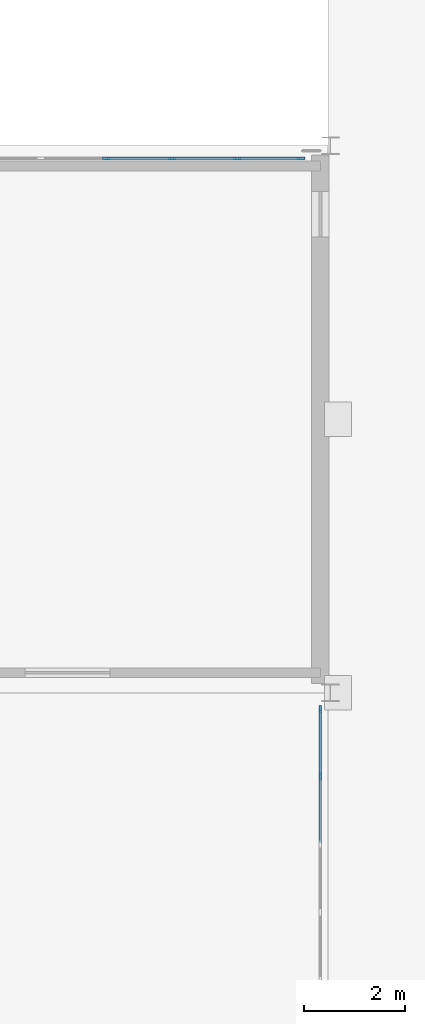
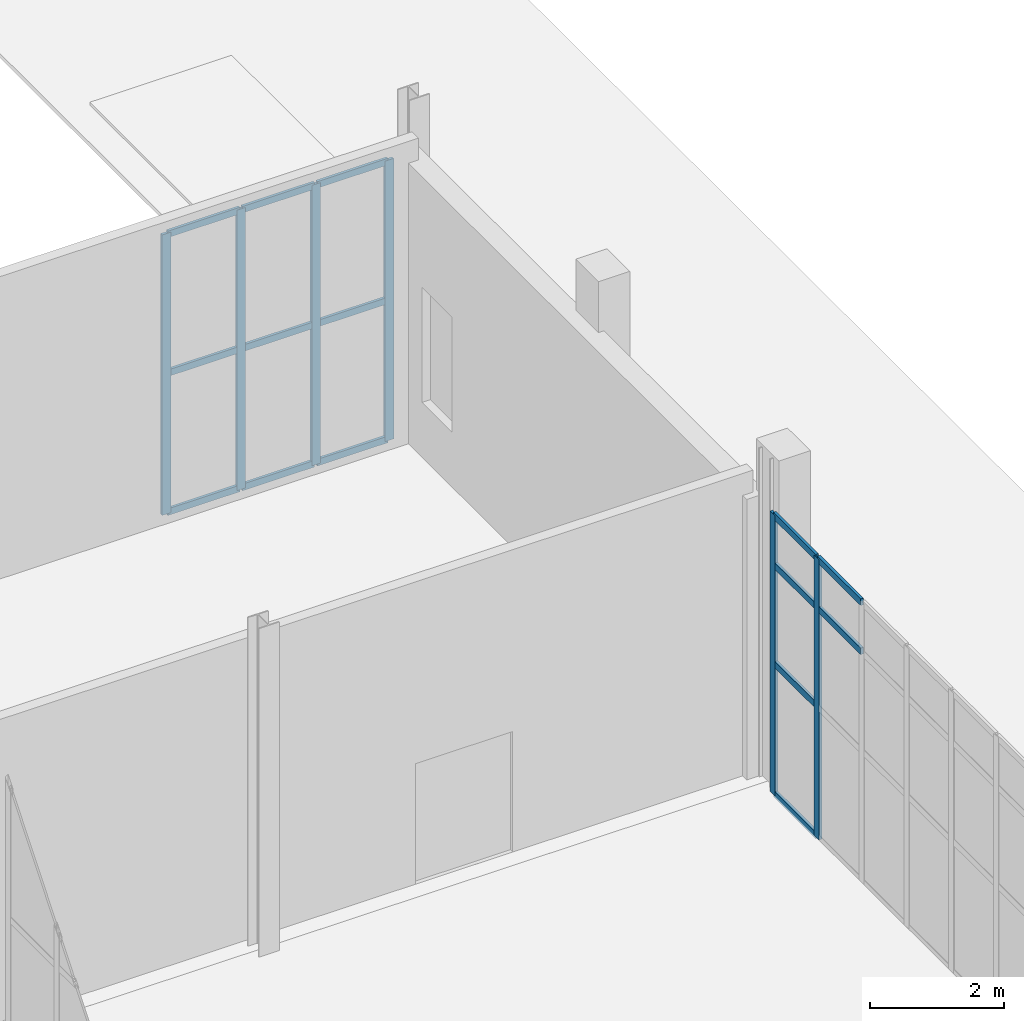
# One storey, part 65 of 139: 21 members, 2 elements without a shape of their own.
"""IFC4 building model written with IfcOpenShell, lengths in metres."""

from ifc_helpers import new_model, si_unit, direction, frame, origin, origin_2d, place, context, subcontext, project, spatial, rectangle, extrude, material, layer, layer_set, material_profile, profile_set, type_object, element, aggregate, save


model = new_model("IFC4")

# Units and contexts
model_context = context("Model", 3, precision=1e-05, world=origin(), true_north=direction((0.0, 1.0)))
body_context = subcontext(model_context, "Body", "Model", "MODEL_VIEW")
ifc_project = project(units=[si_unit("LENGTHUNIT", "METRE"), si_unit("AREAUNIT", "SQUARE_METRE"), si_unit("VOLUMEUNIT", "CUBIC_METRE"), si_unit("PLANEANGLEUNIT", "RADIAN"), si_unit("MASSUNIT", "GRAM", prefix="KILO")], contexts=[model_context])

# Site, building, storey
site_placement = place(None, origin())
site = spatial("IfcSite", under=ifc_project, at=site_placement, CompositionType="ELEMENT")
building_placement = place(site_placement, origin())
building = spatial("IfcBuilding", under=site, at=building_placement, Name="Yeouljin Market Hall", CompositionType="ELEMENT")
storey_placement = place(building_placement, origin())
storey = spatial("IfcBuildingStorey", under=building, at=storey_placement, Name="L00", CompositionType="ELEMENT", Elevation=0.0)

# Curtain wall, members
ifc_material_1 = material(Name="Thermally Broken Aluminium", Category="aluminium")
ifc_layer = layer(ifc_material_1, 0.14990234375)
ifc_layer_set = layer_set([ifc_layer], Name="Thermally Broken Aluminium")
curtain_wall_type = type_object("IfcCurtainWallType", Name="CW_WingStorefront_System", PredefinedType="USERDEFINED", material=ifc_layer_set)
curtain_wall_1_placement = place(storey_placement, origin())
curtain_wall_1 = element("IfcCurtainWall", 1, at=curtain_wall_1_placement, inside=storey, type_object=curtain_wall_type, Name="Curtain wall CW-V3E-L00-2", ObjectType="CURTAIN WALL", PredefinedType="USERDEFINED")
ifc_material_2 = material(Name="Thermally Broken Aluminium", Category="aluminium")
ifc_material_profile_1 = material_profile(ifc_material_2, rectangle(XDim=0.048095703125, YDim=0.14990234375, at=origin_2d()), Name="CW-MULL-48x150")
ifc_profile_set_1 = profile_set([ifc_material_profile_1], Name="Thermally Broken Aluminium")
member_type_1 = type_object("IfcMemberType", Name="CWMullion_48x150", PredefinedType="MULLION", material=ifc_profile_set_1)
member_1_placement = place(storey_placement, frame((176.199951171875, 77.676025390625, 0.0), z_axis=(0.0, 0.0, 1.0), x_axis=(1.0, 0.0, 0.0)))
member_1 = element("IfcMember", 2, at=member_1_placement, type_object=member_type_1, Name="CW-04 mullion 1", PredefinedType="MULLION", context=body_context, shape_type="SweptSolid", body=[
    extrude(rectangle(XDim=0.048095703125, YDim=0.14990234375, at=origin_2d()), origin(), (0.0, 0.0, 1.0), 5.1201171875),
])
member_2_placement = place(storey_placement, frame((176.199951171875, 76.357177734375, 0.0), z_axis=(0.0, 0.0, 1.0), x_axis=(1.0, 0.0, 0.0)))
member_2 = element("IfcMember", 3, at=member_2_placement, type_object=member_type_1, Name="CW-04 mullion 2", PredefinedType="MULLION", context=body_context, shape_type="SweptSolid", body=[
    extrude(rectangle(XDim=0.048095703125, YDim=0.14990234375, at=origin_2d()), origin(), (0.0, 0.0, 1.0), 5.1201171875),
])

curtain_wall_2_placement = place(storey_placement, origin())
curtain_wall_2 = element("IfcCurtainWall", 4, at=curtain_wall_2_placement, inside=storey, type_object=curtain_wall_type, Name="Curtain wall CW-CRT-L00-12", ObjectType="CURTAIN WALL", PredefinedType="USERDEFINED")
member_3_placement = place(storey_placement, frame((171.97509765625, 88.550048828125, 0.0), z_axis=(0.0, 0.0, 1.0), x_axis=(0.0, 1.0, 0.0)))
member_3 = element("IfcMember", 5, at=member_3_placement, type_object=member_type_1, Name="CW-04 mullion 4", PredefinedType="MULLION", context=body_context, shape_type="SweptSolid", body=[
    extrude(rectangle(XDim=0.048095703125, YDim=0.14990234375, at=origin_2d()), origin(), (0.0, 0.0, 1.0), 5.1201171875),
])
member_4_placement = place(storey_placement, frame((173.2666015625, 88.550048828125, 0.0), z_axis=(0.0, 0.0, 1.0), x_axis=(0.0, 1.0, 0.0)))
member_4 = element("IfcMember", 6, at=member_4_placement, type_object=member_type_1, Name="CW-04 mullion 5", PredefinedType="MULLION", context=body_context, shape_type="SweptSolid", body=[
    extrude(rectangle(XDim=0.048095703125, YDim=0.14990234375, at=origin_2d()), origin(), (0.0, 0.0, 1.0), 5.1201171875),
])
member_5_placement = place(storey_placement, frame((174.558349609375, 88.550048828125, 0.0), z_axis=(0.0, 0.0, 1.0), x_axis=(0.0, 1.0, 0.0)))
member_5 = element("IfcMember", 7, at=member_5_placement, type_object=member_type_1, Name="CW-04 mullion 6", PredefinedType="MULLION", context=body_context, shape_type="SweptSolid", body=[
    extrude(rectangle(XDim=0.048095703125, YDim=0.14990234375, at=origin_2d()), origin(), (0.0, 0.0, 1.0), 5.1201171875),
])
member_6_placement = place(storey_placement, frame((175.825927734375, 88.550048828125, 0.0), z_axis=(0.0, 0.0, 1.0), x_axis=(0.0, 1.0, 0.0)))
member_6 = element("IfcMember", 8, at=member_6_placement, type_object=member_type_1, Name="CW-04 mullion 7", PredefinedType="MULLION", context=body_context, shape_type="SweptSolid", body=[
    extrude(rectangle(XDim=0.048095703125, YDim=0.14990234375, at=origin_2d()), origin(), (0.0, 0.0, 1.0), 5.1201171875),
])

# Member
ifc_material_3 = material(Name="Thermally Broken Aluminium", Category="aluminium")
ifc_material_profile_2 = material_profile(ifc_material_3, rectangle(XDim=0.048095703125, YDim=0.1201171875, at=origin_2d()), Name="CW-TRAN-48x120")
ifc_profile_set_2 = profile_set([ifc_material_profile_2], Name="Thermally Broken Aluminium")
member_type_2 = type_object("IfcMemberType", Name="CWTransom_48x120", PredefinedType="USERDEFINED", material=ifc_profile_set_2)
member_7_placement = place(storey_placement, frame((176.199951171875, 77.652099609375, 0.02392578125), z_axis=(0.0, -1.0, 0.0), x_axis=(1.0, 0.0, 0.0)))
member_7 = element("IfcMember", 9, at=member_7_placement, type_object=member_type_2, Name="CW-04 transom 1.1", ObjectType="TRANSOM", PredefinedType="USERDEFINED", context=body_context, shape_type="SweptSolid", body=[
    extrude(rectangle(XDim=0.048095703125, YDim=0.1201171875, at=origin_2d()), origin(), (0.0, 0.0, 1.0), 1.27099609375),
])

member_8_placement = place(storey_placement, frame((176.199951171875, 77.652099609375, 2.39990234375), z_axis=(0.0, -1.0, 0.0), x_axis=(1.0, 0.0, 0.0)))
member_8 = element("IfcMember", 10, at=member_8_placement, type_object=member_type_2, Name="CW-04 transom 1.2", ObjectType="TRANSOM", PredefinedType="USERDEFINED", context=body_context, shape_type="SweptSolid", body=[
    extrude(rectangle(XDim=0.048095703125, YDim=0.1201171875, at=origin_2d()), origin(), (0.0, 0.0, 1.0), 1.27099609375),
])

member_9_placement = place(storey_placement, frame((176.199951171875, 77.652099609375, 4.199951171875), z_axis=(0.0, -1.0, 0.0), x_axis=(1.0, 0.0, 0.0)))
member_9 = element("IfcMember", 11, at=member_9_placement, type_object=member_type_2, Name="CW-04 transom 1.3", ObjectType="TRANSOM", PredefinedType="USERDEFINED", context=body_context, shape_type="SweptSolid", body=[
    extrude(rectangle(XDim=0.048095703125, YDim=0.1201171875, at=origin_2d()), origin(), (0.0, 0.0, 1.0), 1.27099609375),
])

member_10_placement = place(storey_placement, frame((176.199951171875, 77.652099609375, 5.095947265625), z_axis=(0.0, -1.0, 0.0), x_axis=(1.0, 0.0, 0.0)))
member_10 = element("IfcMember", 12, at=member_10_placement, type_object=member_type_2, Name="CW-04 transom 1.4", ObjectType="TRANSOM", PredefinedType="USERDEFINED", context=body_context, shape_type="SweptSolid", body=[
    extrude(rectangle(XDim=0.048095703125, YDim=0.1201171875, at=origin_2d()), origin(), (0.0, 0.0, 1.0), 1.27099609375),
])

member_11_placement = place(storey_placement, frame((176.199951171875, 76.333251953125, 4.199951171875), z_axis=(0.0, -1.0, 0.0), x_axis=(1.0, 0.0, 0.0)))
member_11 = element("IfcMember", 13, at=member_11_placement, type_object=member_type_2, Name="CW-04 transom 2.3", ObjectType="TRANSOM", PredefinedType="USERDEFINED", context=body_context, shape_type="SweptSolid", body=[
    extrude(rectangle(XDim=0.048095703125, YDim=0.1201171875, at=origin_2d()), origin(), (0.0, 0.0, 1.0), 1.294921875),
])

member_12_placement = place(storey_placement, frame((176.199951171875, 76.333251953125, 5.095947265625), z_axis=(0.0, -1.0, 0.0), x_axis=(1.0, 0.0, 0.0)))
member_12 = element("IfcMember", 14, at=member_12_placement, type_object=member_type_2, Name="CW-04 transom 2.4", ObjectType="TRANSOM", PredefinedType="USERDEFINED", context=body_context, shape_type="SweptSolid", body=[
    extrude(rectangle(XDim=0.048095703125, YDim=0.1201171875, at=origin_2d()), origin(), (0.0, 0.0, 1.0), 1.294921875),
])

aggregate(curtain_wall_1, [member_1, member_2, member_7, member_8, member_9, member_10, member_11, member_12])

member_13_placement = place(storey_placement, frame((171.9990234375, 88.550048828125, 0.02392578125), z_axis=(1.0, 0.0, 0.0), x_axis=(0.0, 1.0, 0.0)))
member_13 = element("IfcMember", 15, at=member_13_placement, type_object=member_type_2, Name="CW-04 transom 4.1", ObjectType="TRANSOM", PredefinedType="USERDEFINED", context=body_context, shape_type="SweptSolid", body=[
    extrude(rectangle(XDim=0.048095703125, YDim=0.1201171875, at=origin_2d()), origin(), (0.0, 0.0, 1.0), 1.24365234375),
])

member_14_placement = place(storey_placement, frame((171.9990234375, 88.550048828125, 2.56005859375), z_axis=(1.0, 0.0, 0.0), x_axis=(0.0, 1.0, 0.0)))
member_14 = element("IfcMember", 16, at=member_14_placement, type_object=member_type_2, Name="CW-04 transom 4.2", ObjectType="TRANSOM", PredefinedType="USERDEFINED", context=body_context, shape_type="SweptSolid", body=[
    extrude(rectangle(XDim=0.048095703125, YDim=0.1201171875, at=origin_2d()), origin(), (0.0, 0.0, 1.0), 1.24365234375),
])

member_15_placement = place(storey_placement, frame((171.9990234375, 88.550048828125, 5.095947265625), z_axis=(1.0, 0.0, 0.0), x_axis=(0.0, 1.0, 0.0)))
member_15 = element("IfcMember", 17, at=member_15_placement, type_object=member_type_2, Name="CW-04 transom 4.3", ObjectType="TRANSOM", PredefinedType="USERDEFINED", context=body_context, shape_type="SweptSolid", body=[
    extrude(rectangle(XDim=0.048095703125, YDim=0.1201171875, at=origin_2d()), origin(), (0.0, 0.0, 1.0), 1.24365234375),
])

member_16_placement = place(storey_placement, frame((173.290771484375, 88.550048828125, 0.02392578125), z_axis=(1.0, 0.0, 0.0), x_axis=(0.0, 1.0, 0.0)))
member_16 = element("IfcMember", 18, at=member_16_placement, type_object=member_type_2, Name="CW-04 transom 5.1", ObjectType="TRANSOM", PredefinedType="USERDEFINED", context=body_context, shape_type="SweptSolid", body=[
    extrude(rectangle(XDim=0.048095703125, YDim=0.1201171875, at=origin_2d()), origin(), (0.0, 0.0, 1.0), 1.24365234375),
])

member_17_placement = place(storey_placement, frame((173.290771484375, 88.550048828125, 2.56005859375), z_axis=(1.0, 0.0, 0.0), x_axis=(0.0, 1.0, 0.0)))
member_17 = element("IfcMember", 19, at=member_17_placement, type_object=member_type_2, Name="CW-04 transom 5.2", ObjectType="TRANSOM", PredefinedType="USERDEFINED", context=body_context, shape_type="SweptSolid", body=[
    extrude(rectangle(XDim=0.048095703125, YDim=0.1201171875, at=origin_2d()), origin(), (0.0, 0.0, 1.0), 1.24365234375),
])

member_18_placement = place(storey_placement, frame((173.290771484375, 88.550048828125, 5.095947265625), z_axis=(1.0, 0.0, 0.0), x_axis=(0.0, 1.0, 0.0)))
member_18 = element("IfcMember", 20, at=member_18_placement, type_object=member_type_2, Name="CW-04 transom 5.3", ObjectType="TRANSOM", PredefinedType="USERDEFINED", context=body_context, shape_type="SweptSolid", body=[
    extrude(rectangle(XDim=0.048095703125, YDim=0.1201171875, at=origin_2d()), origin(), (0.0, 0.0, 1.0), 1.24365234375),
])

member_19_placement = place(storey_placement, frame((174.582275390625, 88.550048828125, 0.02392578125), z_axis=(1.0, 0.0, 0.0), x_axis=(0.0, 1.0, 0.0)))
member_19 = element("IfcMember", 21, at=member_19_placement, type_object=member_type_2, Name="CW-04 transom 6.1", ObjectType="TRANSOM", PredefinedType="USERDEFINED", context=body_context, shape_type="SweptSolid", body=[
    extrude(rectangle(XDim=0.048095703125, YDim=0.1201171875, at=origin_2d()), origin(), (0.0, 0.0, 1.0), 1.2197265625),
])

member_20_placement = place(storey_placement, frame((174.582275390625, 88.550048828125, 2.56005859375), z_axis=(1.0, 0.0, 0.0), x_axis=(0.0, 1.0, 0.0)))
member_20 = element("IfcMember", 22, at=member_20_placement, type_object=member_type_2, Name="CW-04 transom 6.2", ObjectType="TRANSOM", PredefinedType="USERDEFINED", context=body_context, shape_type="SweptSolid", body=[
    extrude(rectangle(XDim=0.048095703125, YDim=0.1201171875, at=origin_2d()), origin(), (0.0, 0.0, 1.0), 1.2197265625),
])

member_21_placement = place(storey_placement, frame((174.582275390625, 88.550048828125, 5.095947265625), z_axis=(1.0, 0.0, 0.0), x_axis=(0.0, 1.0, 0.0)))
member_21 = element("IfcMember", 23, at=member_21_placement, type_object=member_type_2, Name="CW-04 transom 6.3", ObjectType="TRANSOM", PredefinedType="USERDEFINED", context=body_context, shape_type="SweptSolid", body=[
    extrude(rectangle(XDim=0.048095703125, YDim=0.1201171875, at=origin_2d()), origin(), (0.0, 0.0, 1.0), 1.2197265625),
])

aggregate(curtain_wall_2, [member_3, member_4, member_5, member_6, member_13, member_14, member_15, member_16, member_17, member_18, member_19, member_20, member_21])

save(model, "model.ifc")
